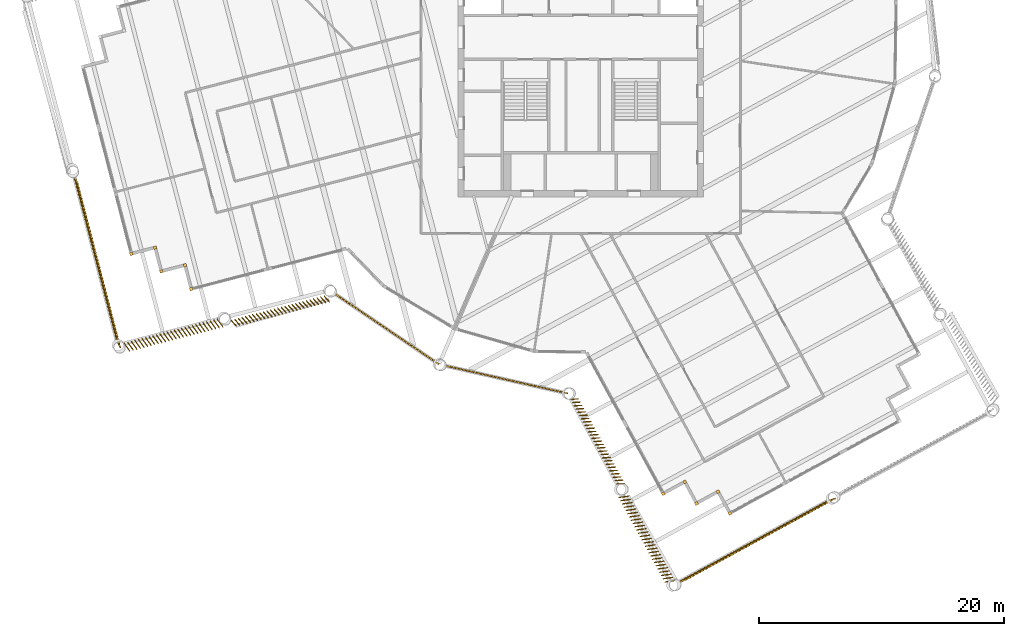
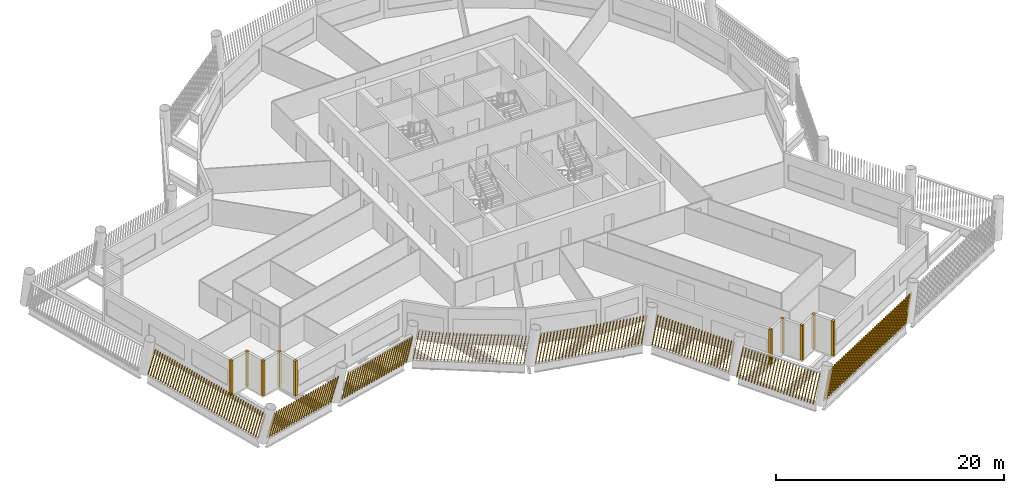
# One storey, part 10 of 14: 18 shading devices.
"""IFC4 building model written with IfcOpenShell, lengths in metres."""

import ifcopenshell
import ifcopenshell.guid

model = None  # the IFC model being written
_history = None  # IfcOwnerHistory: only IFC2X3 demands one
_inside = {}  # id of a spatial element -> (the spatial element, [elements in it])
_under = {}  # id of a project, library or spatial element -> (it, [spatial elements below it])
_declared = {}  # id of a project -> (the project, [libraries it declares])
_typed = {}  # id of a type object -> (the type object, [elements of that type])
_made_of = {}  # id of a material, layer set ... -> (it, [elements and type objects made of it])


def new_model(schema):
    """Start an empty IFC model of exactly this schema.

    Asked for "IFC4X3", IfcOpenShell would pick the latest addendum, in which some entities
    have other attributes; the version numbers below select the first issue.
    IFC2X3 requires an IfcOwnerHistory on every rooted entity: one is made here for all.
    """
    global model, _history
    if schema == "IFC4X3":
        model = ifcopenshell.file(schema_version=(4, 3, 0, 0))
    else:
        model = ifcopenshell.file(schema=schema)
    _inside.clear()
    _under.clear()
    _declared.clear()
    _typed.clear()
    _made_of.clear()
    _history = None
    if model.schema == "IFC2X3":
        org = make("IfcOrganization", Name="unknown")
        user = make(
            "IfcPersonAndOrganization",
            ThePerson=make("IfcPerson", FamilyName="unknown"),
            TheOrganization=org,
        )
        app = make(
            "IfcApplication",
            ApplicationDeveloper=org,
            Version="unknown",
            ApplicationFullName="unknown",
            ApplicationIdentifier="unknown",
        )
        _history = make(
            "IfcOwnerHistory",
            OwningUser=user,
            OwningApplication=app,
            ChangeAction="ADDED",
            CreationDate=0,
        )
    return model


def make(cls, **values):
    """One entity of the class cls with the attributes given. An attribute that is None is left unset."""
    return model.create_entity(
        cls, **{name: value for name, value in values.items() if value is not None}
    )


def rooted(cls, **values):
    """An entity with a GlobalId (a new one), such as an element, a storey or a relation."""
    return make(cls, GlobalId=ifcopenshell.guid.new(), OwnerHistory=_history, **values)


def si_unit(unit_type, name, prefix=None):
    """IfcSIUnit, for example si_unit("LENGTHUNIT", "METRE", prefix="MILLI")."""
    return make("IfcSIUnit", UnitType=unit_type, Prefix=prefix, Name=name)


def assignment(units):
    """IfcUnitAssignment: the units of a project."""
    return None if units is None else make("IfcUnitAssignment", Units=units)


def point(xyz):
    """IfcCartesianPoint."""
    return None if xyz is None else make("IfcCartesianPoint", Coordinates=xyz)


def direction(xyz):
    """IfcDirection."""
    return None if xyz is None else make("IfcDirection", DirectionRatios=xyz)


def frame(location, z_axis=None, x_axis=None):
    """IfcAxis2Placement3D, a coordinate frame: its origin and axes. An axis left out is left unset."""
    return make(
        "IfcAxis2Placement3D",
        Location=point(location),
        Axis=direction(z_axis),
        RefDirection=direction(x_axis),
    )


def frame_2d(location, x_axis=None):
    """IfcAxis2Placement2D, a coordinate frame in the plane: its origin and x axis."""
    return make(
        "IfcAxis2Placement2D", Location=point(location), RefDirection=direction(x_axis)
    )


def origin():
    """The frame at (0, 0, 0) with its axes left unset."""
    return frame((0.0, 0.0, 0.0))


def origin_2d():
    """The frame at (0, 0) in the plane with its x axis left unset."""
    return frame_2d((0.0, 0.0))


def place(relative_to, where):
    """IfcLocalPlacement: puts the frame where relative to a parent placement (None: the world)."""
    return make(
        "IfcLocalPlacement", PlacementRelTo=relative_to, RelativePlacement=where
    )


def context(
    kind, dimensions, precision=None, world=None, true_north=None, identifier=None
):
    """IfcGeometricRepresentationContext, for example the 3D "Model" context."""
    return make(
        "IfcGeometricRepresentationContext",
        ContextIdentifier=identifier,
        ContextType=kind,
        CoordinateSpaceDimension=dimensions,
        Precision=precision,
        WorldCoordinateSystem=world,
        TrueNorth=true_north,
    )


def subcontext(parent, identifier, kind, view, scale=None):
    """IfcGeometricRepresentationSubContext, for example "Body" below "Model"."""
    return make(
        "IfcGeometricRepresentationSubContext",
        ContextIdentifier=identifier,
        ContextType=kind,
        ParentContext=parent,
        TargetScale=scale,
        TargetView=view,
    )


def project(units=None, contexts=None):
    """IfcProject with its units and contexts."""
    return rooted(
        "IfcProject",
        Name="project",
        RepresentationContexts=contexts,
        UnitsInContext=assignment(units),
    )


def spatial(cls, under=None, at=None, **own):
    """A site, building, storey or space (cls), placed at a placement, below another one or the project."""
    s = rooted(cls, ObjectPlacement=at, **own)
    if under is not None:
        _under.setdefault(under.id(), (under, []))[1].append(s)
    return s


def profile(cls, at=None, kind="AREA", **sizes):
    """A parametric profile (cls). Its sizes go by their IFC names, for example OverallWidth=200.0."""
    return make(cls, ProfileType=kind, Position=at, **sizes)


def rectangle(**sizes):
    """IfcRectangleProfileDef."""
    return profile("IfcRectangleProfileDef", **sizes)


def composite_profile(profiles, kind="AREA"):
    """IfcCompositeProfileDef: several profiles as one."""
    return make("IfcCompositeProfileDef", ProfileType=kind, Profiles=profiles)


def extrude(swept, where, along, depth):
    """IfcExtrudedAreaSolid: the profile swept, set in the frame where, extruded along a direction by depth."""
    return make(
        "IfcExtrudedAreaSolid",
        SweptArea=swept,
        Position=where,
        ExtrudedDirection=direction(along),
        Depth=depth,
    )


def shape(context_of_items, identifier, shape_type, items):
    """IfcShapeRepresentation: the items that make up one representation, for example the "Body"."""
    return make(
        "IfcShapeRepresentation",
        ContextOfItems=context_of_items,
        RepresentationIdentifier=identifier,
        RepresentationType=shape_type,
        Items=items,
    )


def material(Name=None, Category=None):
    """IfcMaterial."""
    return make("IfcMaterial", Name=Name, Category=Category)


def made_of(thing, what):
    """Note that an element or type object is made of a material, layer set ...; save() writes the relation."""
    if what is not None:
        _made_of.setdefault(what.id(), (what, []))[1].append(thing)
    return thing


def type_object(cls, material=None, **own):
    """A type object (cls), such as IfcWallType, which elements share."""
    return made_of(rooted(cls, **own), material)


def element(
    cls,
    number,
    at=None,
    inside=None,
    cuts=None,
    type_object=None,
    material=None,
    context=None,
    identifier="Body",
    shape_type=None,
    held_by="IfcProductDefinitionShape",
    body=None,
    shapes=None,
    **own,
):
    """One element of the class cls, such as IfcWall. Its Tag is "e" and its number.

    at: its placement. inside: the storey or other place that contains it. cuts: it is an
    opening in that element (IfcRelVoidsElement). A single representation is given by context,
    identifier, shape_type and body (its items); several are given by shapes. held_by: the class
    of the entity that holds the representations. save() writes the other relations.
    """
    e = rooted(cls, Tag="e%d" % number, ObjectPlacement=at, **own)
    if body is not None:
        shapes = [shape(context, identifier, shape_type, body)]
    if shapes is not None:
        e.Representation = make(held_by, Representations=shapes)
    if inside is not None:
        _inside.setdefault(inside.id(), (inside, []))[1].append(e)
    if cuts is not None:
        rooted(
            "IfcRelVoidsElement", RelatingBuildingElement=cuts, RelatedOpeningElement=e
        )
    if type_object is not None:
        _typed.setdefault(type_object.id(), (type_object, []))[1].append(e)
    return made_of(e, material)


def aggregate(whole, parts):
    """IfcRelAggregates: a whole, such as a stair, and the parts it consists of."""
    return rooted("IfcRelAggregates", RelatingObject=whole, RelatedObjects=parts)


def save(model, path):
    """Write the relations noted so far, then the file.

    IfcRelAggregates (storeys below a building ...), IfcRelContainedInSpatialStructure (elements
    in a storey), IfcRelDefinesByType, IfcRelAssociatesMaterial and IfcRelDeclares: one each for
    every whole, place, type object, material and project.
    """
    for whole, parts in _under.values():
        aggregate(whole, parts)
    for where, things in _inside.values():
        rooted(
            "IfcRelContainedInSpatialStructure",
            RelatedElements=things,
            RelatingStructure=where,
        )
    for kind, things in _typed.values():
        rooted("IfcRelDefinesByType", RelatedObjects=things, RelatingType=kind)
    for what, things in _made_of.values():
        rooted("IfcRelAssociatesMaterial", RelatedObjects=things, RelatingMaterial=what)
    for by, libraries in _declared.values():
        rooted("IfcRelDeclares", RelatingContext=by, RelatedDefinitions=libraries)
    model.write(path)


model = new_model("IFC4")

# Units and contexts
model_context = context("Model", 3, precision=1e-05, world=origin(), true_north=direction((0.0, 1.0)))
body_context = subcontext(model_context, "Body", "Model", "MODEL_VIEW")
ifc_project = project(units=[si_unit("LENGTHUNIT", "METRE"), si_unit("AREAUNIT", "SQUARE_METRE"), si_unit("VOLUMEUNIT", "CUBIC_METRE"), si_unit("PLANEANGLEUNIT", "RADIAN"), si_unit("MASSUNIT", "GRAM", prefix="KILO")], contexts=[model_context])

# Site, building, storey
site_placement = place(None, origin())
site = spatial("IfcSite", under=ifc_project, at=site_placement, CompositionType="ELEMENT")
building_placement = place(site_placement, origin())
building = spatial("IfcBuilding", under=site, at=building_placement, Name="Tarsis Ring Headquarters", CompositionType="ELEMENT")
storey_placement = place(building_placement, frame((0.0, 0.0, 343.10009765625)))
storey = spatial("IfcBuildingStorey", under=building, at=storey_placement, Name="L81", CompositionType="ELEMENT", Elevation=343.10009765625)

# Shading devices
ifc_material = material(Name="Terracotta baguette", Category="masonry")
shading_device_type_1 = type_object("IfcShadingDeviceType", Name="Terracotta baguette screen", PredefinedType="USERDEFINED", material=ifc_material)
shading_device_1_placement = place(storey_placement, frame((-11.0673828125, -26.76171875, 0.0), z_axis=(0.0, 0.0, 1.0), x_axis=(0.975315427858, -0.22078700812, 0.0)))
element("IfcShadingDevice", 1, at=shading_device_1_placement, inside=storey, type_object=shading_device_type_1, Name="Baguette screen L81-00", ObjectType="Terracotta baguette screen", PredefinedType="USERDEFINED", context=body_context, shape_type="SweptSolid", body=[
    extrude(composite_profile([rectangle(XDim=0.06005859375, YDim=0.1201171875, at=frame_2d((0.030029296875, 0.0))), rectangle(XDim=0.06005859375, YDim=0.1201171875, at=frame_2d((0.33349609375, 0.0))), rectangle(XDim=0.06005859375, YDim=0.1201171875, at=frame_2d((0.636962890625, 0.0))), rectangle(XDim=0.06005859375, YDim=0.1201171875, at=frame_2d((0.9404296875, 0.0))), rectangle(XDim=0.06005859375, YDim=0.1201171875, at=frame_2d((1.243896484375, 0.0))), rectangle(XDim=0.06005859375, YDim=0.1201171875, at=frame_2d((1.54736328125, 0.0))), rectangle(XDim=0.06005859375, YDim=0.1201171875, at=frame_2d((1.85107421875, 0.0))), rectangle(XDim=0.06005859375, YDim=0.1201171875, at=frame_2d((2.154541015625, 0.0))), rectangle(XDim=0.06005859375, YDim=0.1201171875, at=frame_2d((2.4580078125, 0.0))), rectangle(XDim=0.06005859375, YDim=0.1201171875, at=frame_2d((2.761474609375, 0.0))), rectangle(XDim=0.06005859375, YDim=0.1201171875, at=frame_2d((3.06494140625, 0.0))), rectangle(XDim=0.06005859375, YDim=0.1201171875, at=frame_2d((3.368408203125, 0.0))), rectangle(XDim=0.06005859375, YDim=0.1201171875, at=frame_2d((3.671875, 0.0))), rectangle(XDim=0.06005859375, YDim=0.1201171875, at=frame_2d((3.975341796875, 0.0))), rectangle(XDim=0.06005859375, YDim=0.1201171875, at=frame_2d((4.27880859375, 0.0))), rectangle(XDim=0.06005859375, YDim=0.1201171875, at=frame_2d((4.582275390625, 0.0))), rectangle(XDim=0.06005859375, YDim=0.1201171875, at=frame_2d((4.8857421875, 0.0))), rectangle(XDim=0.06005859375, YDim=0.1201171875, at=frame_2d((5.189453125, 0.0))), rectangle(XDim=0.06005859375, YDim=0.1201171875, at=frame_2d((5.492919921875, 0.0))), rectangle(XDim=0.06005859375, YDim=0.1201171875, at=frame_2d((5.79638671875, 0.0))), rectangle(XDim=0.06005859375, YDim=0.1201171875, at=frame_2d((6.099853515625, 0.0))), rectangle(XDim=0.06005859375, YDim=0.1201171875, at=frame_2d((6.4033203125, 0.0))), rectangle(XDim=0.06005859375, YDim=0.1201171875, at=frame_2d((6.706787109375, 0.0))), rectangle(XDim=0.06005859375, YDim=0.1201171875, at=frame_2d((7.01025390625, 0.0))), rectangle(XDim=0.06005859375, YDim=0.1201171875, at=frame_2d((7.313720703125, 0.0))), rectangle(XDim=0.06005859375, YDim=0.1201171875, at=frame_2d((7.6171875, 0.0))), rectangle(XDim=0.06005859375, YDim=0.1201171875, at=frame_2d((7.920654296875, 0.0))), rectangle(XDim=0.06005859375, YDim=0.1201171875, at=frame_2d((8.224365234375, 0.0))), rectangle(XDim=0.06005859375, YDim=0.1201171875, at=frame_2d((8.52783203125, 0.0))), rectangle(XDim=0.06005859375, YDim=0.1201171875, at=frame_2d((8.831298828125, 0.0))), rectangle(XDim=0.06005859375, YDim=0.1201171875, at=frame_2d((9.134765625, 0.0))), rectangle(XDim=0.06005859375, YDim=0.1201171875, at=frame_2d((9.438232421875, 0.0))), rectangle(XDim=0.06005859375, YDim=0.1201171875, at=frame_2d((9.74169921875, 0.0)))]), origin(), (0.171973382084, 0.001561999642, 0.985100358345), 3.0126953125),
])
shading_device_2_placement = place(storey_placement, frame((-0.810302734375, -29.46875, 0.0), z_axis=(0.0, 0.0, 1.0), x_axis=(0.478095650025, -0.878305734058, 0.0)))
element("IfcShadingDevice", 2, at=shading_device_2_placement, inside=storey, type_object=shading_device_type_1, Name="Baguette screen L81-01", ObjectType="Terracotta baguette screen", PredefinedType="USERDEFINED", context=body_context, shape_type="SweptSolid", body=[
    extrude(composite_profile([rectangle(XDim=0.06005859375, YDim=0.1201171875, at=frame_2d((0.030029296875, 0.0))), rectangle(XDim=0.06005859375, YDim=0.1201171875, at=frame_2d((0.33154296875, 0.0))), rectangle(XDim=0.06005859375, YDim=0.1201171875, at=frame_2d((0.63330078125, 0.0))), rectangle(XDim=0.06005859375, YDim=0.1201171875, at=frame_2d((0.934814453125, 0.0))), rectangle(XDim=0.06005859375, YDim=0.1201171875, at=frame_2d((1.236572265625, 0.0))), rectangle(XDim=0.06005859375, YDim=0.1201171875, at=frame_2d((1.5380859375, 0.0))), rectangle(XDim=0.06005859375, YDim=0.1201171875, at=frame_2d((1.83984375, 0.0))), rectangle(XDim=0.06005859375, YDim=0.1201171875, at=frame_2d((2.141357421875, 0.0))), rectangle(XDim=0.06005859375, YDim=0.1201171875, at=frame_2d((2.443115234375, 0.0))), rectangle(XDim=0.06005859375, YDim=0.1201171875, at=frame_2d((2.74462890625, 0.0))), rectangle(XDim=0.06005859375, YDim=0.1201171875, at=frame_2d((3.04638671875, 0.0))), rectangle(XDim=0.06005859375, YDim=0.1201171875, at=frame_2d((3.347900390625, 0.0))), rectangle(XDim=0.06005859375, YDim=0.1201171875, at=frame_2d((3.649658203125, 0.0))), rectangle(XDim=0.06005859375, YDim=0.1201171875, at=frame_2d((3.951171875, 0.0))), rectangle(XDim=0.06005859375, YDim=0.1201171875, at=frame_2d((4.252685546875, 0.0))), rectangle(XDim=0.06005859375, YDim=0.1201171875, at=frame_2d((4.554443359375, 0.0))), rectangle(XDim=0.06005859375, YDim=0.1201171875, at=frame_2d((4.85595703125, 0.0))), rectangle(XDim=0.06005859375, YDim=0.1201171875, at=frame_2d((5.15771484375, 0.0))), rectangle(XDim=0.06005859375, YDim=0.1201171875, at=frame_2d((5.459228515625, 0.0))), rectangle(XDim=0.06005859375, YDim=0.1201171875, at=frame_2d((5.760986328125, 0.0))), rectangle(XDim=0.06005859375, YDim=0.1201171875, at=frame_2d((6.0625, 0.0))), rectangle(XDim=0.06005859375, YDim=0.1201171875, at=frame_2d((6.3642578125, 0.0))), rectangle(XDim=0.06005859375, YDim=0.1201171875, at=frame_2d((6.665771484375, 0.0))), rectangle(XDim=0.06005859375, YDim=0.1201171875, at=frame_2d((6.967529296875, 0.0))), rectangle(XDim=0.06005859375, YDim=0.1201171875, at=frame_2d((7.26904296875, 0.0))), rectangle(XDim=0.06005859375, YDim=0.1201171875, at=frame_2d((7.57080078125, 0.0))), rectangle(XDim=0.06005859375, YDim=0.1201171875, at=frame_2d((7.872314453125, 0.0)))]), origin(), (0.087130843508, 0.177343622287, 0.980284374936), 3.02734375),
])
shading_device_3_placement = place(storey_placement, frame((3.116455078125, -37.467041015625, 0.0), z_axis=(0.0, 0.0, 1.0), x_axis=(0.478079525443, -0.878332869898, 0.0)))
element("IfcShadingDevice", 3, at=shading_device_3_placement, inside=storey, type_object=shading_device_type_1, Name="Baguette screen L81-02", ObjectType="Terracotta baguette screen", PredefinedType="USERDEFINED", context=body_context, shape_type="SweptSolid", body=[
    extrude(composite_profile([rectangle(XDim=0.06005859375, YDim=0.1201171875, at=frame_2d((0.030029296875, 0.0))), rectangle(XDim=0.06005859375, YDim=0.1201171875, at=frame_2d((0.33154296875, 0.0))), rectangle(XDim=0.06005859375, YDim=0.1201171875, at=frame_2d((0.63330078125, 0.0))), rectangle(XDim=0.06005859375, YDim=0.1201171875, at=frame_2d((0.934814453125, 0.0))), rectangle(XDim=0.06005859375, YDim=0.1201171875, at=frame_2d((1.236572265625, 0.0))), rectangle(XDim=0.06005859375, YDim=0.1201171875, at=frame_2d((1.5380859375, 0.0))), rectangle(XDim=0.06005859375, YDim=0.1201171875, at=frame_2d((1.83984375, 0.0))), rectangle(XDim=0.06005859375, YDim=0.1201171875, at=frame_2d((2.141357421875, 0.0))), rectangle(XDim=0.06005859375, YDim=0.1201171875, at=frame_2d((2.443115234375, 0.0))), rectangle(XDim=0.06005859375, YDim=0.1201171875, at=frame_2d((2.74462890625, 0.0))), rectangle(XDim=0.06005859375, YDim=0.1201171875, at=frame_2d((3.04638671875, 0.0))), rectangle(XDim=0.06005859375, YDim=0.1201171875, at=frame_2d((3.347900390625, 0.0))), rectangle(XDim=0.06005859375, YDim=0.1201171875, at=frame_2d((3.649658203125, 0.0))), rectangle(XDim=0.06005859375, YDim=0.1201171875, at=frame_2d((3.951171875, 0.0))), rectangle(XDim=0.06005859375, YDim=0.1201171875, at=frame_2d((4.252685546875, 0.0))), rectangle(XDim=0.06005859375, YDim=0.1201171875, at=frame_2d((4.554443359375, 0.0))), rectangle(XDim=0.06005859375, YDim=0.1201171875, at=frame_2d((4.85595703125, 0.0))), rectangle(XDim=0.06005859375, YDim=0.1201171875, at=frame_2d((5.15771484375, 0.0))), rectangle(XDim=0.06005859375, YDim=0.1201171875, at=frame_2d((5.459228515625, 0.0))), rectangle(XDim=0.06005859375, YDim=0.1201171875, at=frame_2d((5.760986328125, 0.0))), rectangle(XDim=0.06005859375, YDim=0.1201171875, at=frame_2d((6.0625, 0.0))), rectangle(XDim=0.06005859375, YDim=0.1201171875, at=frame_2d((6.3642578125, 0.0))), rectangle(XDim=0.06005859375, YDim=0.1201171875, at=frame_2d((6.665771484375, 0.0))), rectangle(XDim=0.06005859375, YDim=0.1201171875, at=frame_2d((6.967529296875, 0.0))), rectangle(XDim=0.06005859375, YDim=0.1201171875, at=frame_2d((7.26904296875, 0.0))), rectangle(XDim=0.06005859375, YDim=0.1201171875, at=frame_2d((7.57080078125, 0.0))), rectangle(XDim=0.06005859375, YDim=0.1201171875, at=frame_2d((7.872314453125, 0.0)))]), origin(), (0.087924791577, 0.228233247958, 0.969628184178), 3.060791015625),
])
shading_device_4_placement = place(storey_placement, frame((7.90185546875, -44.428466796875, 0.0), z_axis=(0.0, 0.0, 1.0), x_axis=(0.878319327731, 0.478071649713, 0.0)))
element("IfcShadingDevice", 4, at=shading_device_4_placement, inside=storey, type_object=shading_device_type_1, Name="Baguette screen L81-03", ObjectType="Terracotta baguette screen", PredefinedType="USERDEFINED", context=body_context, shape_type="SweptSolid", body=[
    extrude(composite_profile([rectangle(XDim=0.06005859375, YDim=0.1201171875, at=frame_2d((0.030029296875, 0.0))), rectangle(XDim=0.06005859375, YDim=0.1201171875, at=frame_2d((0.33544921875, 0.0))), rectangle(XDim=0.06005859375, YDim=0.1201171875, at=frame_2d((0.640625, 0.0))), rectangle(XDim=0.06005859375, YDim=0.1201171875, at=frame_2d((0.946044921875, 0.0))), rectangle(XDim=0.06005859375, YDim=0.1201171875, at=frame_2d((1.25146484375, 0.0))), rectangle(XDim=0.06005859375, YDim=0.1201171875, at=frame_2d((1.556640625, 0.0))), rectangle(XDim=0.06005859375, YDim=0.1201171875, at=frame_2d((1.862060546875, 0.0))), rectangle(XDim=0.06005859375, YDim=0.1201171875, at=frame_2d((2.16748046875, 0.0))), rectangle(XDim=0.06005859375, YDim=0.1201171875, at=frame_2d((2.47265625, 0.0))), rectangle(XDim=0.06005859375, YDim=0.1201171875, at=frame_2d((2.778076171875, 0.0))), rectangle(XDim=0.06005859375, YDim=0.1201171875, at=frame_2d((3.08349609375, 0.0))), rectangle(XDim=0.06005859375, YDim=0.1201171875, at=frame_2d((3.388671875, 0.0))), rectangle(XDim=0.06005859375, YDim=0.1201171875, at=frame_2d((3.694091796875, 0.0))), rectangle(XDim=0.06005859375, YDim=0.1201171875, at=frame_2d((3.99951171875, 0.0))), rectangle(XDim=0.06005859375, YDim=0.1201171875, at=frame_2d((4.3046875, 0.0))), rectangle(XDim=0.06005859375, YDim=0.1201171875, at=frame_2d((4.610107421875, 0.0))), rectangle(XDim=0.06005859375, YDim=0.1201171875, at=frame_2d((4.91552734375, 0.0))), rectangle(XDim=0.06005859375, YDim=0.1201171875, at=frame_2d((5.220703125, 0.0))), rectangle(XDim=0.06005859375, YDim=0.1201171875, at=frame_2d((5.526123046875, 0.0))), rectangle(XDim=0.06005859375, YDim=0.1201171875, at=frame_2d((5.83154296875, 0.0))), rectangle(XDim=0.06005859375, YDim=0.1201171875, at=frame_2d((6.13671875, 0.0))), rectangle(XDim=0.06005859375, YDim=0.1201171875, at=frame_2d((6.442138671875, 0.0))), rectangle(XDim=0.06005859375, YDim=0.1201171875, at=frame_2d((6.74755859375, 0.0))), rectangle(XDim=0.06005859375, YDim=0.1201171875, at=frame_2d((7.052734375, 0.0))), rectangle(XDim=0.06005859375, YDim=0.1201171875, at=frame_2d((7.358154296875, 0.0))), rectangle(XDim=0.06005859375, YDim=0.1201171875, at=frame_2d((7.66357421875, 0.0))), rectangle(XDim=0.06005859375, YDim=0.1201171875, at=frame_2d((7.96875, 0.0))), rectangle(XDim=0.06005859375, YDim=0.1201171875, at=frame_2d((8.274169921875, 0.0))), rectangle(XDim=0.06005859375, YDim=0.1201171875, at=frame_2d((8.57958984375, 0.0))), rectangle(XDim=0.06005859375, YDim=0.1201171875, at=frame_2d((8.884765625, 0.0))), rectangle(XDim=0.06005859375, YDim=0.1201171875, at=frame_2d((9.190185546875, 0.0))), rectangle(XDim=0.06005859375, YDim=0.1201171875, at=frame_2d((9.49560546875, 0.0))), rectangle(XDim=0.06005859375, YDim=0.1201171875, at=frame_2d((9.80078125, 0.0))), rectangle(XDim=0.06005859375, YDim=0.1201171875, at=frame_2d((10.106201171875, 0.0))), rectangle(XDim=0.06005859375, YDim=0.1201171875, at=frame_2d((10.41162109375, 0.0))), rectangle(XDim=0.06005859375, YDim=0.1201171875, at=frame_2d((10.716796875, 0.0))), rectangle(XDim=0.06005859375, YDim=0.1201171875, at=frame_2d((11.022216796875, 0.0))), rectangle(XDim=0.06005859375, YDim=0.1201171875, at=frame_2d((11.32763671875, 0.0))), rectangle(XDim=0.06005859375, YDim=0.1201171875, at=frame_2d((11.6328125, 0.0))), rectangle(XDim=0.06005859375, YDim=0.1201171875, at=frame_2d((11.938232421875, 0.0))), rectangle(XDim=0.06005859375, YDim=0.1201171875, at=frame_2d((12.24365234375, 0.0))), rectangle(XDim=0.06005859375, YDim=0.1201171875, at=frame_2d((12.548828125, 0.0))), rectangle(XDim=0.06005859375, YDim=0.1201171875, at=frame_2d((12.854248046875, 0.0))), rectangle(XDim=0.06005859375, YDim=0.1201171875, at=frame_2d((13.15966796875, 0.0))), rectangle(XDim=0.06005859375, YDim=0.1201171875, at=frame_2d((13.46484375, 0.0))), rectangle(XDim=0.06005859375, YDim=0.1201171875, at=frame_2d((13.770263671875, 0.0)))]), origin(), (0.253380584183, -0.041442150587, 0.966478570747), 3.07080078125),
])
shading_device_5_placement = place(storey_placement, frame((-41.2998046875, -11.24365234375, 0.0), z_axis=(0.0, 0.0, 1.0), x_axis=(0.251397636402, -0.967889745949, 0.0)))
element("IfcShadingDevice", 5, at=shading_device_5_placement, inside=storey, type_object=shading_device_type_1, Name="Baguette screen L81-18", ObjectType="Terracotta baguette screen", PredefinedType="USERDEFINED", context=body_context, shape_type="SweptSolid", body=[
    extrude(composite_profile([rectangle(XDim=0.06005859375, YDim=0.1201171875, at=frame_2d((0.030029296875, 0.0))), rectangle(XDim=0.06005859375, YDim=0.1201171875, at=frame_2d((0.33544921875, 0.0))), rectangle(XDim=0.06005859375, YDim=0.1201171875, at=frame_2d((0.640625, 0.0))), rectangle(XDim=0.06005859375, YDim=0.1201171875, at=frame_2d((0.946044921875, 0.0))), rectangle(XDim=0.06005859375, YDim=0.1201171875, at=frame_2d((1.25146484375, 0.0))), rectangle(XDim=0.06005859375, YDim=0.1201171875, at=frame_2d((1.556640625, 0.0))), rectangle(XDim=0.06005859375, YDim=0.1201171875, at=frame_2d((1.862060546875, 0.0))), rectangle(XDim=0.06005859375, YDim=0.1201171875, at=frame_2d((2.16748046875, 0.0))), rectangle(XDim=0.06005859375, YDim=0.1201171875, at=frame_2d((2.47265625, 0.0))), rectangle(XDim=0.06005859375, YDim=0.1201171875, at=frame_2d((2.778076171875, 0.0))), rectangle(XDim=0.06005859375, YDim=0.1201171875, at=frame_2d((3.08349609375, 0.0))), rectangle(XDim=0.06005859375, YDim=0.1201171875, at=frame_2d((3.388671875, 0.0))), rectangle(XDim=0.06005859375, YDim=0.1201171875, at=frame_2d((3.694091796875, 0.0))), rectangle(XDim=0.06005859375, YDim=0.1201171875, at=frame_2d((3.99951171875, 0.0))), rectangle(XDim=0.06005859375, YDim=0.1201171875, at=frame_2d((4.3046875, 0.0))), rectangle(XDim=0.06005859375, YDim=0.1201171875, at=frame_2d((4.610107421875, 0.0))), rectangle(XDim=0.06005859375, YDim=0.1201171875, at=frame_2d((4.91552734375, 0.0))), rectangle(XDim=0.06005859375, YDim=0.1201171875, at=frame_2d((5.220703125, 0.0))), rectangle(XDim=0.06005859375, YDim=0.1201171875, at=frame_2d((5.526123046875, 0.0))), rectangle(XDim=0.06005859375, YDim=0.1201171875, at=frame_2d((5.83154296875, 0.0))), rectangle(XDim=0.06005859375, YDim=0.1201171875, at=frame_2d((6.13671875, 0.0))), rectangle(XDim=0.06005859375, YDim=0.1201171875, at=frame_2d((6.442138671875, 0.0))), rectangle(XDim=0.06005859375, YDim=0.1201171875, at=frame_2d((6.74755859375, 0.0))), rectangle(XDim=0.06005859375, YDim=0.1201171875, at=frame_2d((7.052734375, 0.0))), rectangle(XDim=0.06005859375, YDim=0.1201171875, at=frame_2d((7.358154296875, 0.0))), rectangle(XDim=0.06005859375, YDim=0.1201171875, at=frame_2d((7.66357421875, 0.0))), rectangle(XDim=0.06005859375, YDim=0.1201171875, at=frame_2d((7.96875, 0.0))), rectangle(XDim=0.06005859375, YDim=0.1201171875, at=frame_2d((8.274169921875, 0.0))), rectangle(XDim=0.06005859375, YDim=0.1201171875, at=frame_2d((8.57958984375, 0.0))), rectangle(XDim=0.06005859375, YDim=0.1201171875, at=frame_2d((8.884765625, 0.0))), rectangle(XDim=0.06005859375, YDim=0.1201171875, at=frame_2d((9.190185546875, 0.0))), rectangle(XDim=0.06005859375, YDim=0.1201171875, at=frame_2d((9.49560546875, 0.0))), rectangle(XDim=0.06005859375, YDim=0.1201171875, at=frame_2d((9.80078125, 0.0))), rectangle(XDim=0.06005859375, YDim=0.1201171875, at=frame_2d((10.106201171875, 0.0))), rectangle(XDim=0.06005859375, YDim=0.1201171875, at=frame_2d((10.41162109375, 0.0))), rectangle(XDim=0.06005859375, YDim=0.1201171875, at=frame_2d((10.716796875, 0.0))), rectangle(XDim=0.06005859375, YDim=0.1201171875, at=frame_2d((11.022216796875, 0.0))), rectangle(XDim=0.06005859375, YDim=0.1201171875, at=frame_2d((11.32763671875, 0.0))), rectangle(XDim=0.06005859375, YDim=0.1201171875, at=frame_2d((11.6328125, 0.0))), rectangle(XDim=0.06005859375, YDim=0.1201171875, at=frame_2d((11.938232421875, 0.0))), rectangle(XDim=0.06005859375, YDim=0.1201171875, at=frame_2d((12.24365234375, 0.0))), rectangle(XDim=0.06005859375, YDim=0.1201171875, at=frame_2d((12.548828125, 0.0))), rectangle(XDim=0.06005859375, YDim=0.1201171875, at=frame_2d((12.854248046875, 0.0))), rectangle(XDim=0.06005859375, YDim=0.1201171875, at=frame_2d((13.15966796875, 0.0))), rectangle(XDim=0.06005859375, YDim=0.1201171875, at=frame_2d((13.46484375, 0.0))), rectangle(XDim=0.06005859375, YDim=0.1201171875, at=frame_2d((13.770263671875, 0.0)))]), origin(), (0.252587868377, 0.046035927294, 0.966478174687), 3.07080078125),
])
shading_device_6_placement = place(storey_placement, frame((-37.220947265625, -24.958740234375, 0.0), z_axis=(0.0, 0.0, 1.0), x_axis=(0.967899403714, 0.251398028857, 0.0)))
element("IfcShadingDevice", 6, at=shading_device_6_placement, inside=storey, type_object=shading_device_type_1, Name="Baguette screen L81-19", ObjectType="Terracotta baguette screen", PredefinedType="USERDEFINED", context=body_context, shape_type="SweptSolid", body=[
    extrude(composite_profile([rectangle(XDim=0.06005859375, YDim=0.1201171875, at=frame_2d((0.030029296875, 0.0))), rectangle(XDim=0.06005859375, YDim=0.1201171875, at=frame_2d((0.33154296875, 0.0))), rectangle(XDim=0.06005859375, YDim=0.1201171875, at=frame_2d((0.63330078125, 0.0))), rectangle(XDim=0.06005859375, YDim=0.1201171875, at=frame_2d((0.934814453125, 0.0))), rectangle(XDim=0.06005859375, YDim=0.1201171875, at=frame_2d((1.236572265625, 0.0))), rectangle(XDim=0.06005859375, YDim=0.1201171875, at=frame_2d((1.5380859375, 0.0))), rectangle(XDim=0.06005859375, YDim=0.1201171875, at=frame_2d((1.83984375, 0.0))), rectangle(XDim=0.06005859375, YDim=0.1201171875, at=frame_2d((2.141357421875, 0.0))), rectangle(XDim=0.06005859375, YDim=0.1201171875, at=frame_2d((2.443115234375, 0.0))), rectangle(XDim=0.06005859375, YDim=0.1201171875, at=frame_2d((2.74462890625, 0.0))), rectangle(XDim=0.06005859375, YDim=0.1201171875, at=frame_2d((3.04638671875, 0.0))), rectangle(XDim=0.06005859375, YDim=0.1201171875, at=frame_2d((3.347900390625, 0.0))), rectangle(XDim=0.06005859375, YDim=0.1201171875, at=frame_2d((3.649658203125, 0.0))), rectangle(XDim=0.06005859375, YDim=0.1201171875, at=frame_2d((3.951171875, 0.0))), rectangle(XDim=0.06005859375, YDim=0.1201171875, at=frame_2d((4.252685546875, 0.0))), rectangle(XDim=0.06005859375, YDim=0.1201171875, at=frame_2d((4.554443359375, 0.0))), rectangle(XDim=0.06005859375, YDim=0.1201171875, at=frame_2d((4.85595703125, 0.0))), rectangle(XDim=0.06005859375, YDim=0.1201171875, at=frame_2d((5.15771484375, 0.0))), rectangle(XDim=0.06005859375, YDim=0.1201171875, at=frame_2d((5.459228515625, 0.0))), rectangle(XDim=0.06005859375, YDim=0.1201171875, at=frame_2d((5.760986328125, 0.0))), rectangle(XDim=0.06005859375, YDim=0.1201171875, at=frame_2d((6.0625, 0.0))), rectangle(XDim=0.06005859375, YDim=0.1201171875, at=frame_2d((6.3642578125, 0.0))), rectangle(XDim=0.06005859375, YDim=0.1201171875, at=frame_2d((6.665771484375, 0.0))), rectangle(XDim=0.06005859375, YDim=0.1201171875, at=frame_2d((6.967529296875, 0.0))), rectangle(XDim=0.06005859375, YDim=0.1201171875, at=frame_2d((7.26904296875, 0.0))), rectangle(XDim=0.06005859375, YDim=0.1201171875, at=frame_2d((7.57080078125, 0.0))), rectangle(XDim=0.06005859375, YDim=0.1201171875, at=frame_2d((7.872314453125, 0.0)))]), origin(), (0.089848296607, -0.226664045042, 0.969819928792), 3.06005859375),
])
shading_device_7_placement = place(storey_placement, frame((-28.51025390625, -23.083740234375, 0.0), z_axis=(0.0, 0.0, 1.0), x_axis=(0.967899403714, 0.251398028857, 0.0)))
element("IfcShadingDevice", 7, at=shading_device_7_placement, inside=storey, type_object=shading_device_type_1, Name="Baguette screen L81-20", ObjectType="Terracotta baguette screen", PredefinedType="USERDEFINED", context=body_context, shape_type="SweptSolid", body=[
    extrude(composite_profile([rectangle(XDim=0.06005859375, YDim=0.1201171875, at=frame_2d((0.030029296875, 0.0))), rectangle(XDim=0.06005859375, YDim=0.1201171875, at=frame_2d((0.33154296875, 0.0))), rectangle(XDim=0.06005859375, YDim=0.1201171875, at=frame_2d((0.63330078125, 0.0))), rectangle(XDim=0.06005859375, YDim=0.1201171875, at=frame_2d((0.934814453125, 0.0))), rectangle(XDim=0.06005859375, YDim=0.1201171875, at=frame_2d((1.236572265625, 0.0))), rectangle(XDim=0.06005859375, YDim=0.1201171875, at=frame_2d((1.5380859375, 0.0))), rectangle(XDim=0.06005859375, YDim=0.1201171875, at=frame_2d((1.83984375, 0.0))), rectangle(XDim=0.06005859375, YDim=0.1201171875, at=frame_2d((2.141357421875, 0.0))), rectangle(XDim=0.06005859375, YDim=0.1201171875, at=frame_2d((2.443115234375, 0.0))), rectangle(XDim=0.06005859375, YDim=0.1201171875, at=frame_2d((2.74462890625, 0.0))), rectangle(XDim=0.06005859375, YDim=0.1201171875, at=frame_2d((3.04638671875, 0.0))), rectangle(XDim=0.06005859375, YDim=0.1201171875, at=frame_2d((3.347900390625, 0.0))), rectangle(XDim=0.06005859375, YDim=0.1201171875, at=frame_2d((3.649658203125, 0.0))), rectangle(XDim=0.06005859375, YDim=0.1201171875, at=frame_2d((3.951171875, 0.0))), rectangle(XDim=0.06005859375, YDim=0.1201171875, at=frame_2d((4.252685546875, 0.0))), rectangle(XDim=0.06005859375, YDim=0.1201171875, at=frame_2d((4.554443359375, 0.0))), rectangle(XDim=0.06005859375, YDim=0.1201171875, at=frame_2d((4.85595703125, 0.0))), rectangle(XDim=0.06005859375, YDim=0.1201171875, at=frame_2d((5.15771484375, 0.0))), rectangle(XDim=0.06005859375, YDim=0.1201171875, at=frame_2d((5.459228515625, 0.0))), rectangle(XDim=0.06005859375, YDim=0.1201171875, at=frame_2d((5.760986328125, 0.0))), rectangle(XDim=0.06005859375, YDim=0.1201171875, at=frame_2d((6.0625, 0.0))), rectangle(XDim=0.06005859375, YDim=0.1201171875, at=frame_2d((6.3642578125, 0.0))), rectangle(XDim=0.06005859375, YDim=0.1201171875, at=frame_2d((6.665771484375, 0.0))), rectangle(XDim=0.06005859375, YDim=0.1201171875, at=frame_2d((6.967529296875, 0.0))), rectangle(XDim=0.06005859375, YDim=0.1201171875, at=frame_2d((7.26904296875, 0.0))), rectangle(XDim=0.06005859375, YDim=0.1201171875, at=frame_2d((7.57080078125, 0.0))), rectangle(XDim=0.06005859375, YDim=0.1201171875, at=frame_2d((7.872314453125, 0.0)))]), origin(), (0.09256289502, -0.175681868734, 0.980085706183), 3.028076171875),
])
shading_device_8_placement = place(storey_placement, frame((-20.058349609375, -20.888916015625, 0.0), z_axis=(0.0, 0.0, 1.0), x_axis=(0.827811922251, -0.560985359516, 0.0)))
element("IfcShadingDevice", 8, at=shading_device_8_placement, inside=storey, type_object=shading_device_type_1, Name="Baguette screen L81-21", ObjectType="Terracotta baguette screen", PredefinedType="USERDEFINED", context=body_context, shape_type="SweptSolid", body=[
    extrude(composite_profile([rectangle(XDim=0.06005859375, YDim=0.1201171875, at=frame_2d((0.030029296875, 0.0))), rectangle(XDim=0.06005859375, YDim=0.1201171875, at=frame_2d((0.33349609375, 0.0))), rectangle(XDim=0.06005859375, YDim=0.1201171875, at=frame_2d((0.636962890625, 0.0))), rectangle(XDim=0.06005859375, YDim=0.1201171875, at=frame_2d((0.9404296875, 0.0))), rectangle(XDim=0.06005859375, YDim=0.1201171875, at=frame_2d((1.243896484375, 0.0))), rectangle(XDim=0.06005859375, YDim=0.1201171875, at=frame_2d((1.54736328125, 0.0))), rectangle(XDim=0.06005859375, YDim=0.1201171875, at=frame_2d((1.85107421875, 0.0))), rectangle(XDim=0.06005859375, YDim=0.1201171875, at=frame_2d((2.154541015625, 0.0))), rectangle(XDim=0.06005859375, YDim=0.1201171875, at=frame_2d((2.4580078125, 0.0))), rectangle(XDim=0.06005859375, YDim=0.1201171875, at=frame_2d((2.761474609375, 0.0))), rectangle(XDim=0.06005859375, YDim=0.1201171875, at=frame_2d((3.06494140625, 0.0))), rectangle(XDim=0.06005859375, YDim=0.1201171875, at=frame_2d((3.368408203125, 0.0))), rectangle(XDim=0.06005859375, YDim=0.1201171875, at=frame_2d((3.671875, 0.0))), rectangle(XDim=0.06005859375, YDim=0.1201171875, at=frame_2d((3.975341796875, 0.0))), rectangle(XDim=0.06005859375, YDim=0.1201171875, at=frame_2d((4.27880859375, 0.0))), rectangle(XDim=0.06005859375, YDim=0.1201171875, at=frame_2d((4.582275390625, 0.0))), rectangle(XDim=0.06005859375, YDim=0.1201171875, at=frame_2d((4.8857421875, 0.0))), rectangle(XDim=0.06005859375, YDim=0.1201171875, at=frame_2d((5.189453125, 0.0))), rectangle(XDim=0.06005859375, YDim=0.1201171875, at=frame_2d((5.492919921875, 0.0))), rectangle(XDim=0.06005859375, YDim=0.1201171875, at=frame_2d((5.79638671875, 0.0))), rectangle(XDim=0.06005859375, YDim=0.1201171875, at=frame_2d((6.099853515625, 0.0))), rectangle(XDim=0.06005859375, YDim=0.1201171875, at=frame_2d((6.4033203125, 0.0))), rectangle(XDim=0.06005859375, YDim=0.1201171875, at=frame_2d((6.706787109375, 0.0))), rectangle(XDim=0.06005859375, YDim=0.1201171875, at=frame_2d((7.01025390625, 0.0))), rectangle(XDim=0.06005859375, YDim=0.1201171875, at=frame_2d((7.313720703125, 0.0))), rectangle(XDim=0.06005859375, YDim=0.1201171875, at=frame_2d((7.6171875, 0.0))), rectangle(XDim=0.06005859375, YDim=0.1201171875, at=frame_2d((7.920654296875, 0.0))), rectangle(XDim=0.06005859375, YDim=0.1201171875, at=frame_2d((8.224365234375, 0.0))), rectangle(XDim=0.06005859375, YDim=0.1201171875, at=frame_2d((8.52783203125, 0.0))), rectangle(XDim=0.06005859375, YDim=0.1201171875, at=frame_2d((8.831298828125, 0.0))), rectangle(XDim=0.06005859375, YDim=0.1201171875, at=frame_2d((9.134765625, 0.0))), rectangle(XDim=0.06005859375, YDim=0.1201171875, at=frame_2d((9.438232421875, 0.0))), rectangle(XDim=0.06005859375, YDim=0.1201171875, at=frame_2d((9.74169921875, 0.0)))]), origin(), (0.171972564704, 0.001559090264, 0.985100505647), 3.0126953125),
])
shading_device_type_2 = type_object("IfcShadingDeviceType", Name="Terracotta corner baguette 250x250", PredefinedType="USERDEFINED", material=ifc_material)
for number, where, z_axis, x_axis, name in (
    (9, (-31.737548828125, -20.512451171875, 0.0), (0.0, 0.0, 1.0), (0.251394080062, -0.967884815724, 0.0), "Corner baguette L81-01"),
    (10, (6.720947265625, -37.186767578125, 0.0), (0.0, 0.0, 1.0), (0.478078839577, -0.878316926371, 0.0), "Corner baguette L81-07"),
    (11, (8.477783203125, -36.230712890625, 0.0), (0.0, 0.0, 1.0), (0.878317084907, 0.478078548316, 0.0), "Corner baguette L81-08"),
    (12, (9.433837890625, -37.9873046875, 0.0), (0.0, 0.0, 1.0), (0.478078716941, -0.878316993123, 0.0), "Corner baguette L81-09"),
    (13, (11.1904296875, -37.031005859375, 0.0), (0.0, 0.0, 1.0), (0.878316667705, 0.478079314792, 0.0), "Corner baguette L81-10"),
    (14, (12.146728515625, -38.787841796875, 0.0), (0.0, 0.0, 1.0), (0.478078548316, -0.878317084907, 0.0), "Corner baguette L81-11"),
    (15, (-36.61474609375, -17.646484375, 0.0), (0.0, 0.0, 1.0), (0.251393742207, -0.967884903477, 0.0), "Corner baguette L81-37"),
    (16, (-34.678955078125, -17.1435546875, 0.0), (0.0, 0.0, 1.0), (0.967884815724, 0.251394080062, 0.0), "Corner baguette L81-38"),
    (17, (-34.176025390625, -19.079345703125, 0.0), (0.0, 0.0, 1.0), (0.251393488815, -0.967884969292, 0.0), "Corner baguette L81-39"),
    (18, (-32.240478515625, -18.57666015625, 0.0), (0.0, 0.0, 1.0), (0.967884969292, 0.251393488815, 0.0), "Corner baguette L81-40"),
):
    element("IfcShadingDevice", number, at=place(storey_placement, frame(where, z_axis=z_axis, x_axis=x_axis)), inside=storey, type_object=shading_device_type_2, Name=name, ObjectType="Terracotta corner baguette", PredefinedType="USERDEFINED", context=body_context, shape_type="SweptSolid", body=[
        extrude(rectangle(XDim=0.25, YDim=0.25, at=origin_2d()), origin(), (0.0, 0.0, 1.0), 3.739990234375),
    ])

save(model, "model.ifc")
